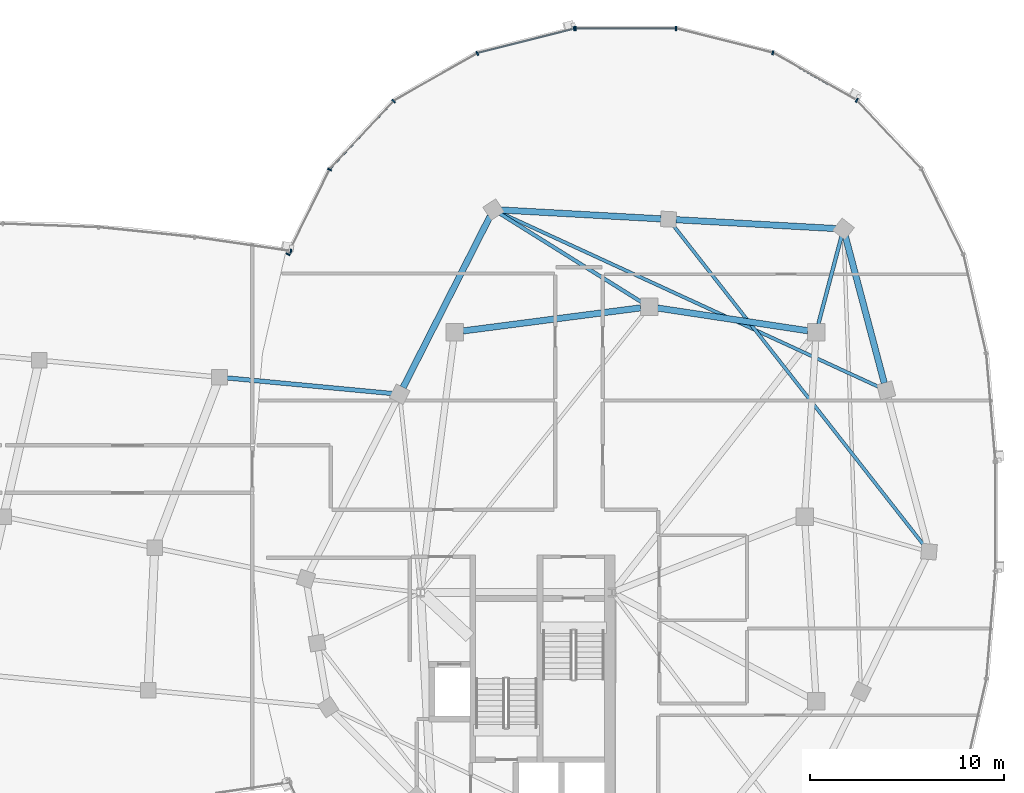
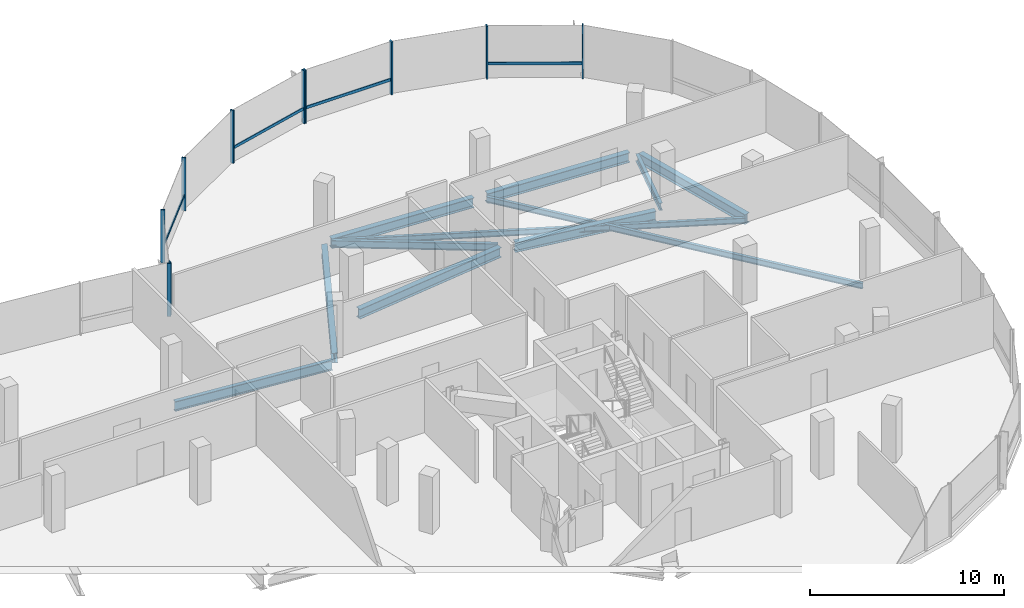
# One storey, part 10 of 25: 14 members, 11 beams, 3 elements without a shape of their own.
"""IFC4 building model written with IfcOpenShell, lengths in metres."""

from ifc_helpers import new_model, si_unit, direction, frame, origin, origin_2d, place, context, subcontext, project, spatial, rectangle, i_section, extrude, material, material_profile, profile_set, type_object, element, aggregate, save


model = new_model("IFC4")

# Units and contexts
model_context = context("Model", 3, precision=1e-05, world=origin(), true_north=direction((0.0, 1.0)))
body_context = subcontext(model_context, "Body", "Model", "MODEL_VIEW")
ifc_project = project(units=[si_unit("LENGTHUNIT", "METRE"), si_unit("AREAUNIT", "SQUARE_METRE"), si_unit("VOLUMEUNIT", "CUBIC_METRE"), si_unit("PLANEANGLEUNIT", "RADIAN"), si_unit("MASSUNIT", "GRAM", prefix="KILO"), si_unit("THERMODYNAMICTEMPERATUREUNIT", "KELVIN"), si_unit("POWERUNIT", "WATT")], contexts=[model_context])

# Site, building, storey
site_placement = place(None, origin())
site = spatial("IfcSite", under=ifc_project, at=site_placement, CompositionType="ELEMENT")
building_placement = place(site_placement, origin())
building = spatial("IfcBuilding", under=site, at=building_placement, Name="Cundina Bronze Exchange", CompositionType="ELEMENT")
storey_placement = place(building_placement, frame((0.0, 0.0, 250.39990234375)))
storey = spatial("IfcBuildingStorey", under=building, at=storey_placement, Name="L66", CompositionType="ELEMENT", Elevation=250.39990234375)

# Beams
ifc_material_1 = material(Name="Steel ASTM A992 Grade 50", Category="steel")
ifc_material_profile_1 = material_profile(ifc_material_1, i_section(OverallWidth=0.19091796875, OverallDepth=0.4599609375, WebThickness=0.010009765625, FlangeThickness=0.01611328125, FilletRadius=0.011962890625, at=origin_2d()), Name="W18X55", Category="steel")
ifc_profile_set_1 = profile_set([ifc_material_profile_1], Name="Steel ASTM A992 Grade 50")
beam_type_1 = type_object("IfcBeamType", Name="BM-FLR-W18B", PredefinedType="BEAM", material=ifc_profile_set_1)
beam_1_placement = place(storey_placement, frame((41.911865234375, 9.923583984375, -0.489990234375), z_axis=(0.255383723615, 0.96683977665, 0.0), x_axis=(-0.96683977665, 0.255383723615, 0.0)))
element("IfcBeam", 1, at=beam_1_placement, inside=storey, type_object=beam_type_1, Name="L66 Leg E Chordal Floor Beam 10", PredefinedType="BEAM", context=body_context, shape_type="SweptSolid", body=[
    extrude(i_section(OverallWidth=0.19091796875, OverallDepth=0.4599609375, WebThickness=0.010009765625, FlangeThickness=0.01611328125, FilletRadius=0.011962890625, at=origin_2d()), origin(), (0.0, 0.0, 1.0), 4.655517578125),
])
beam_2_placement = place(storey_placement, frame((32.82861328125, 11.031982421875, -0.489990234375), z_axis=(-0.847983963552, 0.530021884038, 0.0), x_axis=(-0.530021884038, -0.847983963552, 0.0)))
element("IfcBeam", 2, at=beam_2_placement, inside=storey, type_object=beam_type_1, Name="L66 Leg E Chordal Floor Beam 12", PredefinedType="BEAM", context=body_context, shape_type="SweptSolid", body=[
    extrude(i_section(OverallWidth=0.19091796875, OverallDepth=0.4599609375, WebThickness=0.010009765625, FlangeThickness=0.01611328125, FilletRadius=0.011962890625, at=origin_2d()), origin(), (0.0, 0.0, 1.0), 8.608154296875),
])
ifc_material_profile_2 = material_profile(ifc_material_1, i_section(OverallWidth=0.22998046875, OverallDepth=0.616943359375, WebThickness=0.01318359375, FlangeThickness=0.022216796875, FilletRadius=0.013916015625, at=origin_2d()), Name="W24X94", Category="steel")
ifc_profile_set_2 = profile_set([ifc_material_profile_2], Name="Steel ASTM A992 Grade 50")
beam_type_2 = type_object("IfcBeamType", Name="BM-FLR-W24B", PredefinedType="BEAM", material=ifc_profile_set_2)
beam_3_placement = place(storey_placement, frame((11.285400390625, 7.158203125, -0.62841796875), z_axis=(0.995572136276, -0.094000646124, 0.0), x_axis=(0.094000646124, 0.995572136276, 0.0)))
element("IfcBeam", 3, at=beam_3_placement, inside=storey, type_object=beam_type_2, Name="L66 Sky-Gate Longitudinal Girder Y3-P4", PredefinedType="BEAM", context=body_context, shape_type="SweptSolid", body=[
    extrude(i_section(OverallWidth=0.22998046875, OverallDepth=0.616943359375, WebThickness=0.01318359375, FlangeThickness=0.022216796875, FilletRadius=0.013916015625, at=origin_2d()), origin(), (0.0, 0.0, 1.0), 8.949951171875),
])
ifc_material_profile_3 = material_profile(ifc_material_1, i_section(OverallWidth=0.172119140625, OverallDepth=0.35791015625, WebThickness=0.0078125, FlangeThickness=0.01318359375, FilletRadius=0.010009765625, at=origin_2d()), Name="W14X38", Category="steel")
ifc_profile_set_3 = profile_set([ifc_material_profile_3], Name="Steel ASTM A992 Grade 50")
beam_type_3 = type_object("IfcBeamType", Name="BM-JST-W14", PredefinedType="JOIST", material=ifc_profile_set_3)
beam_4_placement = place(storey_placement, frame((47.360595703125, -1.49462890625, -0.43896484375), z_axis=(-0.616804005008, 0.78711677622, 0.0), x_axis=(-0.78711677622, -0.616804005008, 0.0)))
element("IfcBeam", 4, at=beam_4_placement, inside=storey, type_object=beam_type_3, Name="L66 Leg E Lobe Floor Joist 08-11", PredefinedType="JOIST", context=body_context, shape_type="SweptSolid", body=[
    extrude(i_section(OverallWidth=0.172119140625, OverallDepth=0.35791015625, WebThickness=0.0078125, FlangeThickness=0.01318359375, FilletRadius=0.010009765625, at=origin_2d()), origin(), (0.0, 0.0, 1.0), 20.948974609375),
])
beam_5_placement = place(storey_placement, frame((45.047607421875, 6.662353515625, -0.43896484375), z_axis=(-0.908356175703, 0.418197391266, 0.0), x_axis=(-0.418197391266, -0.908356175703, 0.0)))
element("IfcBeam", 5, at=beam_5_placement, inside=storey, type_object=beam_type_3, Name="L66 Leg E Lobe Floor Joist 09-12", PredefinedType="JOIST", context=body_context, shape_type="SweptSolid", body=[
    extrude(i_section(OverallWidth=0.172119140625, OverallDepth=0.35791015625, WebThickness=0.0078125, FlangeThickness=0.01318359375, FilletRadius=0.010009765625, at=origin_2d()), origin(), (0.0, 0.0, 1.0), 21.4619140625),
])
ifc_material_profile_4 = material_profile(ifc_material_1, i_section(OverallWidth=0.324951171875, OverallDepth=0.615966796875, WebThickness=0.013916015625, FlangeThickness=0.021484375, FilletRadius=0.01611328125, at=origin_2d()), Name="W24X117", Category="steel")
ifc_profile_set_4 = profile_set([ifc_material_profile_4], Name="Steel ASTM A992 Grade 50")
beam_type_4 = type_object("IfcBeamType", Name="BM-RING-W24", PredefinedType="USERDEFINED", material=ifc_profile_set_4)
beam_6_placement = place(storey_placement, frame((41.366943359375, 9.5654296875, -0.56787109375), z_axis=(-0.988764903598, 0.149478979839, 0.0), x_axis=(-0.149478979839, -0.988764903598, 0.0)))
element("IfcBeam", 6, at=beam_6_placement, inside=storey, type_object=beam_type_4, Name="L66 E Inner Structural Ring Girder 05", ObjectType="GIRDER", PredefinedType="USERDEFINED", context=body_context, shape_type="SweptSolid", body=[
    extrude(i_section(OverallWidth=0.324951171875, OverallDepth=0.615966796875, WebThickness=0.013916015625, FlangeThickness=0.021484375, FilletRadius=0.01611328125, at=origin_2d()), origin(), (0.0, 0.0, 1.0), 7.82177734375),
])
beam_7_placement = place(storey_placement, frame((32.765625, 10.743408203125, -0.56787109375), z_axis=(-0.991656498582, -0.128908451316, 0.0), x_axis=(0.128908451316, -0.991656498582, 0.0)))
element("IfcBeam", 7, at=beam_7_placement, inside=storey, type_object=beam_type_4, Name="L66 E Inner Structural Ring Girder 06", ObjectType="GIRDER", PredefinedType="USERDEFINED", context=body_context, shape_type="SweptSolid", body=[
    extrude(i_section(OverallWidth=0.324951171875, OverallDepth=0.615966796875, WebThickness=0.013916015625, FlangeThickness=0.021484375, FilletRadius=0.01611328125, at=origin_2d()), origin(), (0.0, 0.0, 1.0), 9.208251953125),
])
beam_8_placement = place(storey_placement, frame((45.300537109375, 6.875, -0.56787109375), z_axis=(-0.256212999207, 0.966620348967, 0.0), x_axis=(-0.966620348967, -0.256212999207, 0.0)))
element("IfcBeam", 8, at=beam_8_placement, inside=storey, type_object=beam_type_4, Name="L66 E Perimeter Ring Girder 09", ObjectType="GIRDER", PredefinedType="USERDEFINED", context=body_context, shape_type="SweptSolid", body=[
    extrude(i_section(OverallWidth=0.324951171875, OverallDepth=0.615966796875, WebThickness=0.013916015625, FlangeThickness=0.021484375, FilletRadius=0.01611328125, at=origin_2d()), origin(), (0.0, 0.0, 1.0), 7.810791015625),
])
for number, where, z_axis, x_axis, name in (
    (9, (42.8125, 14.821533203125, -0.56787109375), (-0.998459806018, 0.055479868117, 0.0), (-0.055479868117, -0.998459806018, 0.0), "L66 E Perimeter Ring Girder 10"),
    (10, (33.8125, 15.321533203125, -0.56787109375), (-0.998459806018, 0.055479868117, 0.0), (-0.055479868117, -0.998459806018, 0.0), "L66 E Perimeter Ring Girder 11"),
):
    element("IfcBeam", number, at=place(storey_placement, frame(where, z_axis=z_axis, x_axis=x_axis)), inside=storey, type_object=beam_type_4, Name=name, ObjectType="GIRDER", PredefinedType="USERDEFINED", context=body_context, shape_type="SweptSolid", body=[
        extrude(i_section(OverallWidth=0.324951171875, OverallDepth=0.615966796875, WebThickness=0.013916015625, FlangeThickness=0.021484375, FilletRadius=0.01611328125, at=origin_2d()), origin(), (0.0, 0.0, 1.0), 8.23779296875),
    ])
beam_9_placement = place(storey_placement, frame((25.0244140625, 15.4541015625, -0.56787109375), z_axis=(-0.452839263805, -0.891592171991, 0.0), x_axis=(0.891592171991, -0.452839263805, 0.0)))
element("IfcBeam", 11, at=beam_9_placement, inside=storey, type_object=beam_type_4, Name="L66 E Perimeter Ring Girder 12", ObjectType="GIRDER", PredefinedType="USERDEFINED", context=body_context, shape_type="SweptSolid", body=[
    extrude(i_section(OverallWidth=0.324951171875, OverallDepth=0.615966796875, WebThickness=0.013916015625, FlangeThickness=0.021484375, FilletRadius=0.01611328125, at=origin_2d()), origin(), (0.0, 0.0, 1.0), 9.879150390625),
])

# Curtain wall, members
ifc_material_2 = material(Name="Anodised Bronze Aluminium 6063-T6", Category="aluminium")
curtain_wall_type = type_object("IfcCurtainWallType", Name="CWS-SKG-BRG", PredefinedType="NOTDEFINED", material=ifc_material_2)
curtain_wall_1_placement = place(storey_placement, origin())
curtain_wall_1 = element("IfcCurtainWall", 12, at=curtain_wall_1_placement, inside=storey, type_object=curtain_wall_type, Name="L66 CW-06 Curtain Wall Run CWR-L66-E1", PredefinedType="NOTDEFINED")
ifc_material_profile_5 = material_profile(ifc_material_2, rectangle(XDim=0.074951171875, YDim=0.219970703125, at=origin_2d()), Name="AL75X220", Category="aluminium")
ifc_profile_set_5 = profile_set([ifc_material_profile_5], Name="Anodised Bronze Aluminium 6063-T6")
member_type_1 = type_object("IfcMemberType", Name="CWM-MUL-220", PredefinedType="MULLION", material=ifc_profile_set_5)
member_1_placement = place(storey_placement, frame((43.88916015625, 21.419921875, 0.0), z_axis=(0.0, 0.0, 1.0), x_axis=(-0.86958112538, 0.493790103568, 0.0)))
member_1 = element("IfcMember", 13, at=member_1_placement, type_object=member_type_1, Name="CW-06 Mullion 5", PredefinedType="MULLION", context=body_context, shape_type="SweptSolid", body=[
    extrude(rectangle(XDim=0.074951171875, YDim=0.219970703125, at=origin_2d()), origin(), (0.0, 0.0, 1.0), 3.340087890625),
])
member_2_placement = place(storey_placement, frame((39.5703125, 23.86181640625, 0.0), z_axis=(0.0, 0.0, 1.0), x_axis=(-0.969744325821, 0.244122802168, 0.0)))
member_2 = element("IfcMember", 14, at=member_2_placement, type_object=member_type_1, Name="CW-06 Mullion 6", PredefinedType="MULLION", context=body_context, shape_type="SweptSolid", body=[
    extrude(rectangle(XDim=0.074951171875, YDim=0.219970703125, at=origin_2d()), origin(), (0.0, 0.0, 1.0), 3.340087890625),
])
member_3_placement = place(storey_placement, frame((34.576416015625, 25.110107421875, 0.0), z_axis=(0.0, 0.0, 1.0), x_axis=(-1.0, 0.0, 0.0)))
member_3 = element("IfcMember", 15, at=member_3_placement, type_object=member_type_1, Name="CW-06 Mullion 7", PredefinedType="MULLION", context=body_context, shape_type="SweptSolid", body=[
    extrude(rectangle(XDim=0.074951171875, YDim=0.219970703125, at=origin_2d()), origin(), (0.0, 0.0, 1.0), 3.340087890625),
])
member_4_placement = place(storey_placement, frame((29.423583984375, 25.110107421875, 0.0), z_axis=(0.0, 0.0, 1.0), x_axis=(-1.0, 0.0, 0.0)))
member_4 = element("IfcMember", 16, at=member_4_placement, type_object=member_type_1, Name="CW-06 End Mullion", PredefinedType="MULLION", context=body_context, shape_type="SweptSolid", body=[
    extrude(rectangle(XDim=0.074951171875, YDim=0.219970703125, at=origin_2d()), origin(), (0.0, 0.0, 1.0), 3.340087890625),
])

curtain_wall_2_placement = place(storey_placement, origin())
curtain_wall_2 = element("IfcCurtainWall", 17, at=curtain_wall_2_placement, inside=storey, type_object=curtain_wall_type, Name="L66 CW-06 Curtain Wall Run CWR-L66-E2", PredefinedType="NOTDEFINED")
member_5_placement = place(storey_placement, frame((29.351806640625, 25.10107421875, 0.0), z_axis=(0.0, 0.0, 1.0), x_axis=(-0.969744325821, -0.244122802168, 0.0)))
member_5 = element("IfcMember", 18, at=member_5_placement, type_object=member_type_1, Name="CW-06 Mullion 1", PredefinedType="MULLION", context=body_context, shape_type="SweptSolid", body=[
    extrude(rectangle(XDim=0.074951171875, YDim=0.219970703125, at=origin_2d()), origin(), (0.0, 0.0, 1.0), 3.340087890625),
])
member_6_placement = place(storey_placement, frame((24.365478515625, 23.8359375, 0.0), z_axis=(0.0, 0.0, 1.0), x_axis=(-0.86958112538, -0.493790103568, 0.0)))
member_6 = element("IfcMember", 19, at=member_6_placement, type_object=member_type_1, Name="CW-06 Mullion 2", PredefinedType="MULLION", context=body_context, shape_type="SweptSolid", body=[
    extrude(rectangle(XDim=0.074951171875, YDim=0.219970703125, at=origin_2d()), origin(), (0.0, 0.0, 1.0), 3.340087890625),
])
member_7_placement = place(storey_placement, frame((20.059814453125, 21.3798828125, 0.0), z_axis=(0.0, 0.0, 1.0), x_axis=(-0.684292606175, -0.729207535023, 0.0)))
member_7 = element("IfcMember", 20, at=member_7_placement, type_object=member_type_1, Name="CW-06 Mullion 3", PredefinedType="MULLION", context=body_context, shape_type="SweptSolid", body=[
    extrude(rectangle(XDim=0.074951171875, YDim=0.219970703125, at=origin_2d()), origin(), (0.0, 0.0, 1.0), 3.340087890625),
])
member_8_placement = place(storey_placement, frame((16.7666015625, 17.856689453125, 0.0), z_axis=(0.0, 0.0, 1.0), x_axis=(-0.440566004113, -0.897720221461, 0.0)))
member_8 = element("IfcMember", 21, at=member_8_placement, type_object=member_type_1, Name="CW-06 Mullion 4", PredefinedType="MULLION", context=body_context, shape_type="SweptSolid", body=[
    extrude(rectangle(XDim=0.074951171875, YDim=0.219970703125, at=origin_2d()), origin(), (0.0, 0.0, 1.0), 3.340087890625),
])
member_9_placement = place(storey_placement, frame((14.630859375, 13.50390625, 0.0), z_axis=(0.0, 0.0, 1.0), x_axis=(-0.440566004113, -0.897720221461, 0.0)))
member_9 = element("IfcMember", 22, at=member_9_placement, type_object=member_type_1, Name="CW-06 End Mullion", PredefinedType="MULLION", context=body_context, shape_type="SweptSolid", body=[
    extrude(rectangle(XDim=0.074951171875, YDim=0.219970703125, at=origin_2d()), origin(), (0.0, 0.0, 1.0), 3.340087890625),
])

# Curtain wall, member
curtain_wall_3_placement = place(storey_placement, origin())
curtain_wall_3 = element("IfcCurtainWall", 23, at=curtain_wall_3_placement, inside=storey, type_object=curtain_wall_type, Name="L66 CW-06 Curtain Wall Run CWR-L66-BRGN", PredefinedType="NOTDEFINED")
member_10_placement = place(storey_placement, frame((14.779296875, 13.658935546875, 0.0), z_axis=(0.0, 0.0, 1.0), x_axis=(-0.989525789069, 0.144356201001, 0.0)))
member_10 = element("IfcMember", 24, at=member_10_placement, type_object=member_type_1, Name="CW-06 Mullion 1", PredefinedType="MULLION", context=body_context, shape_type="SweptSolid", body=[
    extrude(rectangle(XDim=0.074951171875, YDim=0.219970703125, at=origin_2d()), origin(), (0.0, 0.0, 1.0), 3.280029296875),
])
aggregate(curtain_wall_3, [member_10])

# Member
ifc_material_profile_6 = material_profile(ifc_material_2, rectangle(XDim=0.070068359375, YDim=0.179931640625, at=origin_2d()), Name="AL70X180", Category="aluminium")
ifc_profile_set_6 = profile_set([ifc_material_profile_6], Name="Anodised Bronze Aluminium 6063-T6")
member_type_2 = type_object("IfcMemberType", Name="CWM-TRN-180", PredefinedType="USERDEFINED", material=ifc_profile_set_6)
member_11_placement = place(storey_placement, frame((43.853271484375, 21.440185546875, 0.920166015625), z_axis=(-0.869557366176, 0.493831941989, 0.0), x_axis=(-0.493831941989, -0.869557366176, 0.0)))
member_11 = element("IfcMember", 25, at=member_11_placement, type_object=member_type_2, Name="CW-06 Spandrel Transom 5", ObjectType="TRANSOM", PredefinedType="USERDEFINED", context=body_context, shape_type="SweptSolid", body=[
    extrude(rectangle(XDim=0.070068359375, YDim=0.179931640625, at=origin_2d()), origin(), (0.0, 0.0, 1.0), 4.892822265625),
])

member_12_placement = place(storey_placement, frame((34.53515625, 25.110107421875, 0.920166015625), z_axis=(-1.0, 0.0, 0.0), x_axis=(0.0, -1.0, 0.0)))
member_12 = element("IfcMember", 26, at=member_12_placement, type_object=member_type_2, Name="CW-06 Spandrel Transom 7", ObjectType="TRANSOM", PredefinedType="USERDEFINED", context=body_context, shape_type="SweptSolid", body=[
    extrude(rectangle(XDim=0.070068359375, YDim=0.179931640625, at=origin_2d()), origin(), (0.0, 0.0, 1.0), 5.070556640625),
])

aggregate(curtain_wall_1, [member_1, member_11, member_2, member_3, member_4, member_12])

member_13_placement = place(storey_placement, frame((29.311767578125, 25.091064453125, 0.920166015625), z_axis=(-0.969736547481, -0.244153698478, 0.0), x_axis=(0.244153698478, -0.969736547481, 0.0)))
member_13 = element("IfcMember", 27, at=member_13_placement, type_object=member_type_2, Name="CW-06 Spandrel Transom 1", ObjectType="TRANSOM", PredefinedType="USERDEFINED", context=body_context, shape_type="SweptSolid", body=[
    extrude(rectangle(XDim=0.070068359375, YDim=0.179931640625, at=origin_2d()), origin(), (0.0, 0.0, 1.0), 5.07568359375),
])

member_14_placement = place(storey_placement, frame((20.031494140625, 21.349609375, 0.920166015625), z_axis=(-0.684328474899, -0.729173873944, 0.0), x_axis=(0.729173873944, -0.684328474899, 0.0)))
member_14 = element("IfcMember", 28, at=member_14_placement, type_object=member_type_2, Name="CW-06 Spandrel Transom 3", ObjectType="TRANSOM", PredefinedType="USERDEFINED", context=body_context, shape_type="SweptSolid", body=[
    extrude(rectangle(XDim=0.070068359375, YDim=0.179931640625, at=origin_2d()), origin(), (0.0, 0.0, 1.0), 4.758056640625),
])

aggregate(curtain_wall_2, [member_5, member_13, member_6, member_7, member_14, member_8, member_9])

save(model, "model.ifc")
